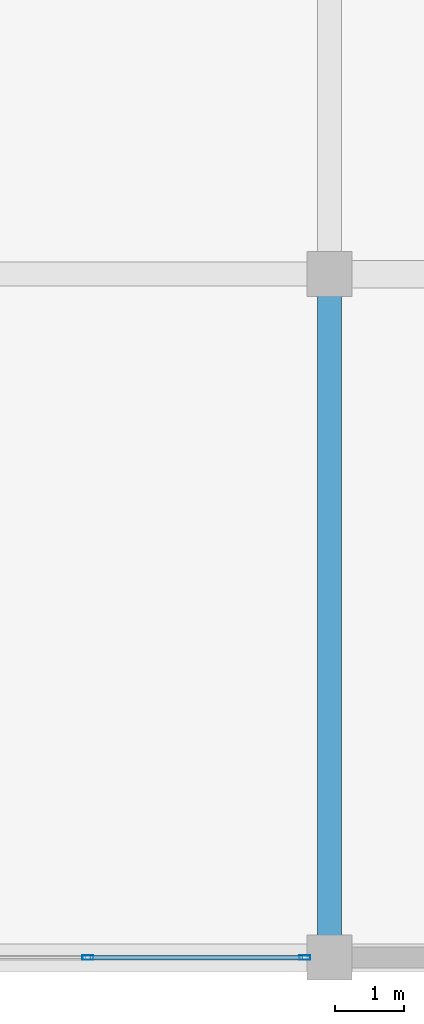
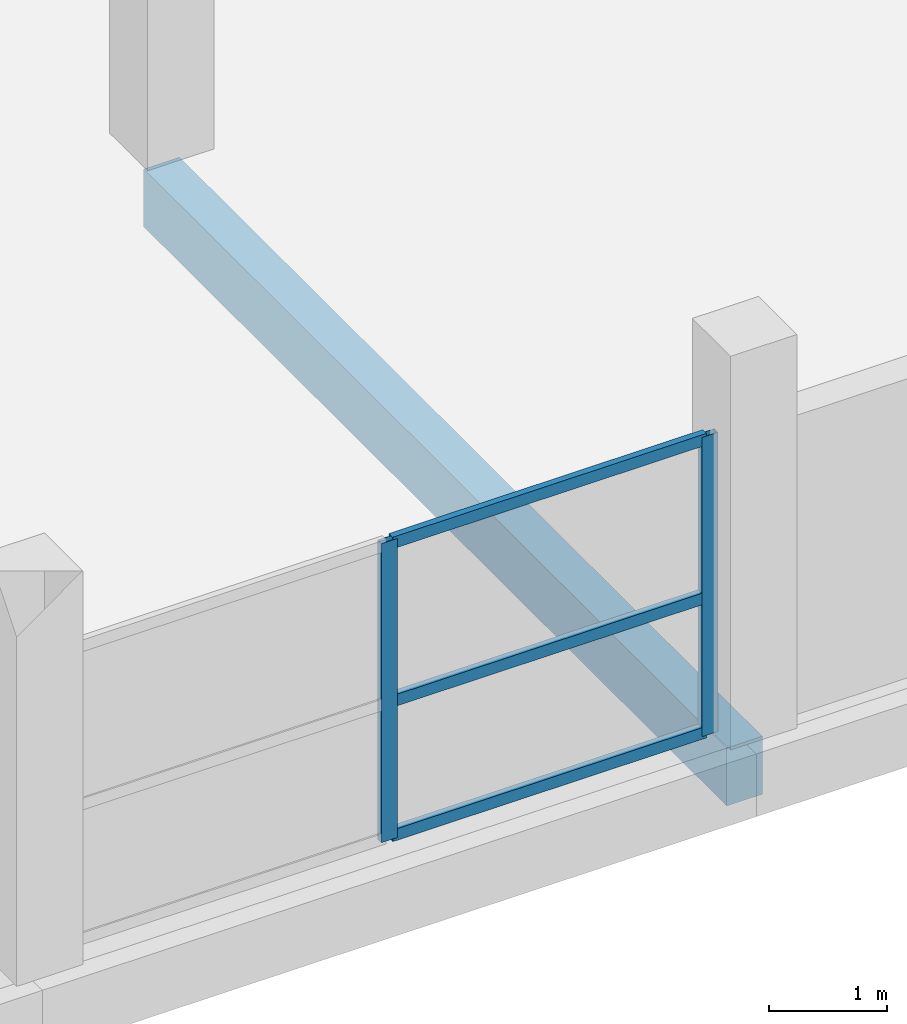
# One storey, part 4 of 66: 5 members, 1 beam, 1 element without a shape of its own.
"""IFC4 building model written with IfcOpenShell, lengths in metres."""

from ifc_helpers import new_model, si_unit, direction, frame, origin, origin_2d, place, context, subcontext, project, spatial, rectangle, hollow_rectangle, extrude, material, layer, layer_set, material_profile, profile_set, type_object, element, aggregate, save


model = new_model("IFC4")

# Units and contexts
model_context = context("Model", 3, precision=1e-05, world=origin(), true_north=direction((0.0, 1.0)))
body_context = subcontext(model_context, "Body", "Model", "MODEL_VIEW")
ifc_project = project(units=[si_unit("LENGTHUNIT", "METRE"), si_unit("AREAUNIT", "SQUARE_METRE"), si_unit("VOLUMEUNIT", "CUBIC_METRE"), si_unit("PLANEANGLEUNIT", "RADIAN"), si_unit("MASSUNIT", "GRAM", prefix="KILO")], contexts=[model_context])

# Site, building, storey
site_placement = place(None, origin())
site = spatial("IfcSite", under=ifc_project, at=site_placement, CompositionType="ELEMENT")
building_placement = place(site_placement, origin())
building = spatial("IfcBuilding", under=site, at=building_placement, Name="Sillaruma Civic Art Gallery", CompositionType="ELEMENT")
storey_placement = place(building_placement, frame((0.0, 0.0, 62.219970703125)))
storey = spatial("IfcBuildingStorey", under=building, at=storey_placement, Name="L12", CompositionType="ELEMENT", Elevation=62.219970703125)

# Beam
ifc_material_1 = material(Name="Concrete H35 (35 MPa)", Category="concrete")
ifc_material_profile_1 = material_profile(ifc_material_1, rectangle(XDim=0.35009765625, YDim=0.60009765625, at=origin_2d()), Name="RCB350x600")
ifc_profile_set_1 = profile_set([ifc_material_profile_1], Name="Concrete H35 (35 MPa)")
beam_type = type_object("IfcBeamType", Name="BM-BEAM-RCB350x600", PredefinedType="BEAM", material=ifc_profile_set_1)
beam_placement = place(storey_placement, frame((84.0, 19.800048828125, -0.530029296875), z_axis=(0.0, 1.0, 0.0), x_axis=(-1.0, 0.0, 0.0)))
element("IfcBeam", 1, at=beam_placement, inside=storey, type_object=beam_type, Name="Beam BM-06 (L11:J:3-4)", PredefinedType="BEAM", context=body_context, shape_type="SweptSolid", body=[
    extrude(rectangle(XDim=0.35009765625, YDim=0.60009765625, at=origin_2d()), origin(), (0.0, 0.0, 1.0), 9.89990234375),
])

# Curtain wall, members
ifc_material_2 = material(Name="Thermally Broken Extruded Aluminium 6063-T6", Category="aluminium")
ifc_layer = layer(ifc_material_2, 0.159912109375, Name="Thermally Broken Extruded Aluminium 6063-T6")
ifc_layer_set = layer_set([ifc_layer], Name="Thermally Broken Extruded Aluminium 6063-T6")
curtain_wall_type = type_object("IfcCurtainWallType", Name="CW-UNI-96", PredefinedType="NOTDEFINED", material=ifc_layer_set)
curtain_wall_placement = place(storey_placement, origin())
curtain_wall = element("IfcCurtainWall", 2, at=curtain_wall_placement, inside=storey, type_object=curtain_wall_type, Name="Unitised Curtain Wall CW-96 (CW-L12-WBS-3)", PredefinedType="NOTDEFINED")
ifc_material_profile_2 = material_profile(ifc_material_2, hollow_rectangle(XDim=0.06494140625, YDim=0.159912109375, WallThickness=0.00390625, at=origin_2d()), Name="CWM65x160")
ifc_profile_set_2 = profile_set([ifc_material_profile_2], Name="Thermally Broken Extruded Aluminium 6063-T6")
member_type_1 = type_object("IfcMemberType", Name="MEM-MUL-CWM65x160", PredefinedType="MULLION", material=ifc_profile_set_2)
member_1_placement = place(storey_placement, frame((80.5, 19.800048828125, 0.0), z_axis=(0.0, 0.0, 1.0), x_axis=(0.0, 1.0, 0.0)))
member_1 = element("IfcMember", 3, at=member_1_placement, type_object=member_type_1, Name="CW-96 mullion 2", PredefinedType="MULLION", context=body_context, shape_type="SweptSolid", body=[
    extrude(hollow_rectangle(XDim=0.06494140625, YDim=0.159912109375, WallThickness=0.00390625, at=origin_2d()), origin(), (0.0, 0.0, 1.0), 3.10009765625),
])
member_2_placement = place(storey_placement, frame((83.642578125, 19.800048828125, 0.0), z_axis=(0.0, 0.0, 1.0), x_axis=(0.0, 1.0, 0.0)))
member_2 = element("IfcMember", 4, at=member_2_placement, type_object=member_type_1, Name="CW-96 mullion 3", PredefinedType="MULLION", context=body_context, shape_type="SweptSolid", body=[
    extrude(hollow_rectangle(XDim=0.06494140625, YDim=0.159912109375, WallThickness=0.00390625, at=origin_2d()), origin(), (0.0, 0.0, 1.0), 3.10009765625),
])
ifc_material_profile_3 = material_profile(ifc_material_2, hollow_rectangle(XDim=0.06494140625, YDim=0.1201171875, WallThickness=0.00341796875, at=origin_2d()), Name="CWT65x120")
ifc_profile_set_3 = profile_set([ifc_material_profile_3], Name="Thermally Broken Extruded Aluminium 6063-T6")
member_type_2 = type_object("IfcMemberType", Name="MEM-TRN-CWT65x120", PredefinedType="USERDEFINED", material=ifc_profile_set_3)
member_3_placement = place(storey_placement, frame((80.532470703125, 19.800048828125, 0.032470703125), z_axis=(1.0, 0.0, 0.0), x_axis=(0.0, 1.0, 0.0)))
member_3 = element("IfcMember", 5, at=member_3_placement, type_object=member_type_2, Name="CW-96 transom 2.1", ObjectType="TRANSOM", PredefinedType="USERDEFINED", context=body_context, shape_type="SweptSolid", body=[
    extrude(hollow_rectangle(XDim=0.06494140625, YDim=0.1201171875, WallThickness=0.00341796875, at=origin_2d()), origin(), (0.0, 0.0, 1.0), 3.07763671875),
])
member_4_placement = place(storey_placement, frame((80.532470703125, 19.800048828125, 1.426025390625), z_axis=(1.0, 0.0, 0.0), x_axis=(0.0, 1.0, 0.0)))
member_4 = element("IfcMember", 6, at=member_4_placement, type_object=member_type_2, Name="CW-96 transom 2.2", ObjectType="TRANSOM", PredefinedType="USERDEFINED", context=body_context, shape_type="SweptSolid", body=[
    extrude(hollow_rectangle(XDim=0.06494140625, YDim=0.1201171875, WallThickness=0.00341796875, at=origin_2d()), origin(), (0.0, 0.0, 1.0), 3.07763671875),
])
member_5_placement = place(storey_placement, frame((80.532470703125, 19.800048828125, 3.067626953125), z_axis=(1.0, 0.0, 0.0), x_axis=(0.0, 1.0, 0.0)))
member_5 = element("IfcMember", 7, at=member_5_placement, type_object=member_type_2, Name="CW-96 transom 2.3", ObjectType="TRANSOM", PredefinedType="USERDEFINED", context=body_context, shape_type="SweptSolid", body=[
    extrude(hollow_rectangle(XDim=0.06494140625, YDim=0.1201171875, WallThickness=0.00341796875, at=origin_2d()), origin(), (0.0, 0.0, 1.0), 3.07763671875),
])
aggregate(curtain_wall, [member_1, member_2, member_3, member_4, member_5])

save(model, "model.ifc")
